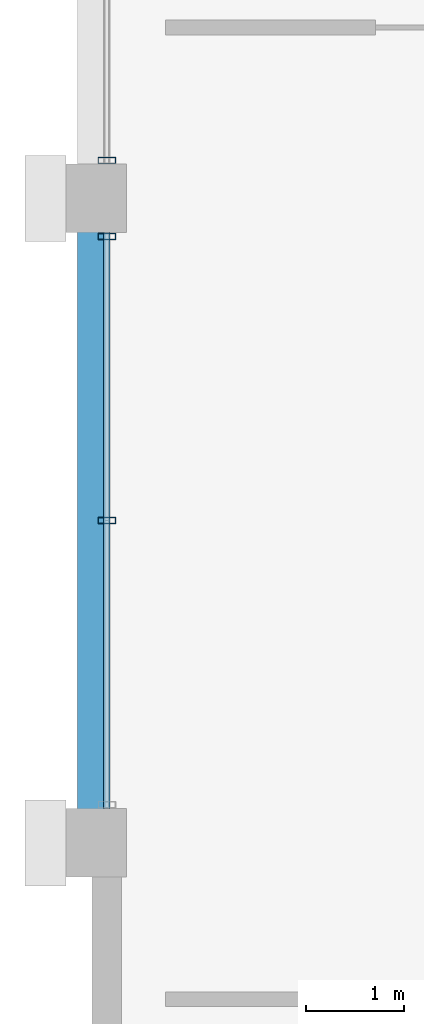
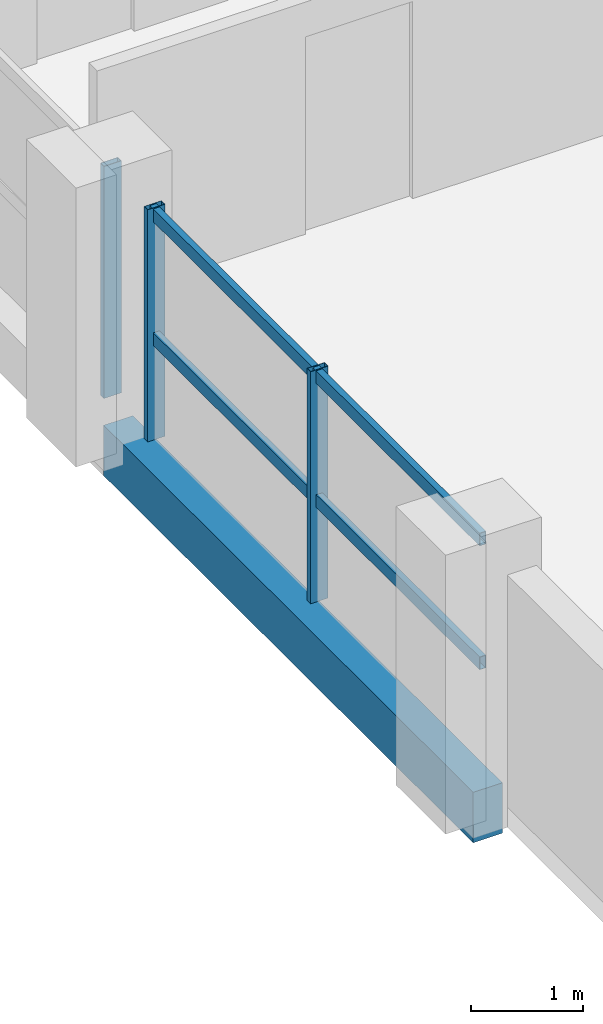
# One storey, part 4 of 24: 5 members, 1 beam, 2 elements without a shape of their own.
"""IFC4 building model written with IfcOpenShell, lengths in metres."""

import ifcopenshell
import ifcopenshell.guid

model = None  # the IFC model being written
_history = None  # IfcOwnerHistory: only IFC2X3 demands one
_inside = {}  # id of a spatial element -> (the spatial element, [elements in it])
_under = {}  # id of a project, library or spatial element -> (it, [spatial elements below it])
_declared = {}  # id of a project -> (the project, [libraries it declares])
_typed = {}  # id of a type object -> (the type object, [elements of that type])
_made_of = {}  # id of a material, layer set ... -> (it, [elements and type objects made of it])


def new_model(schema):
    """Start an empty IFC model of exactly this schema.

    Asked for "IFC4X3", IfcOpenShell would pick the latest addendum, in which some entities
    have other attributes; the version numbers below select the first issue.
    IFC2X3 requires an IfcOwnerHistory on every rooted entity: one is made here for all.
    """
    global model, _history
    if schema == "IFC4X3":
        model = ifcopenshell.file(schema_version=(4, 3, 0, 0))
    else:
        model = ifcopenshell.file(schema=schema)
    _inside.clear()
    _under.clear()
    _declared.clear()
    _typed.clear()
    _made_of.clear()
    _history = None
    if model.schema == "IFC2X3":
        org = make("IfcOrganization", Name="unknown")
        user = make(
            "IfcPersonAndOrganization",
            ThePerson=make("IfcPerson", FamilyName="unknown"),
            TheOrganization=org,
        )
        app = make(
            "IfcApplication",
            ApplicationDeveloper=org,
            Version="unknown",
            ApplicationFullName="unknown",
            ApplicationIdentifier="unknown",
        )
        _history = make(
            "IfcOwnerHistory",
            OwningUser=user,
            OwningApplication=app,
            ChangeAction="ADDED",
            CreationDate=0,
        )
    return model


def make(cls, **values):
    """One entity of the class cls with the attributes given. An attribute that is None is left unset."""
    return model.create_entity(
        cls, **{name: value for name, value in values.items() if value is not None}
    )


def rooted(cls, **values):
    """An entity with a GlobalId (a new one), such as an element, a storey or a relation."""
    return make(cls, GlobalId=ifcopenshell.guid.new(), OwnerHistory=_history, **values)


def si_unit(unit_type, name, prefix=None):
    """IfcSIUnit, for example si_unit("LENGTHUNIT", "METRE", prefix="MILLI")."""
    return make("IfcSIUnit", UnitType=unit_type, Prefix=prefix, Name=name)


def assignment(units):
    """IfcUnitAssignment: the units of a project."""
    return None if units is None else make("IfcUnitAssignment", Units=units)


def point(xyz):
    """IfcCartesianPoint."""
    return None if xyz is None else make("IfcCartesianPoint", Coordinates=xyz)


def direction(xyz):
    """IfcDirection."""
    return None if xyz is None else make("IfcDirection", DirectionRatios=xyz)


def frame(location, z_axis=None, x_axis=None):
    """IfcAxis2Placement3D, a coordinate frame: its origin and axes. An axis left out is left unset."""
    return make(
        "IfcAxis2Placement3D",
        Location=point(location),
        Axis=direction(z_axis),
        RefDirection=direction(x_axis),
    )


def frame_2d(location, x_axis=None):
    """IfcAxis2Placement2D, a coordinate frame in the plane: its origin and x axis."""
    return make(
        "IfcAxis2Placement2D", Location=point(location), RefDirection=direction(x_axis)
    )


def origin():
    """The frame at (0, 0, 0) with its axes left unset."""
    return frame((0.0, 0.0, 0.0))


def origin_2d():
    """The frame at (0, 0) in the plane with its x axis left unset."""
    return frame_2d((0.0, 0.0))


def place(relative_to, where):
    """IfcLocalPlacement: puts the frame where relative to a parent placement (None: the world)."""
    return make(
        "IfcLocalPlacement", PlacementRelTo=relative_to, RelativePlacement=where
    )


def context(
    kind, dimensions, precision=None, world=None, true_north=None, identifier=None
):
    """IfcGeometricRepresentationContext, for example the 3D "Model" context."""
    return make(
        "IfcGeometricRepresentationContext",
        ContextIdentifier=identifier,
        ContextType=kind,
        CoordinateSpaceDimension=dimensions,
        Precision=precision,
        WorldCoordinateSystem=world,
        TrueNorth=true_north,
    )


def subcontext(parent, identifier, kind, view, scale=None):
    """IfcGeometricRepresentationSubContext, for example "Body" below "Model"."""
    return make(
        "IfcGeometricRepresentationSubContext",
        ContextIdentifier=identifier,
        ContextType=kind,
        ParentContext=parent,
        TargetScale=scale,
        TargetView=view,
    )


def project(units=None, contexts=None):
    """IfcProject with its units and contexts."""
    return rooted(
        "IfcProject",
        Name="project",
        RepresentationContexts=contexts,
        UnitsInContext=assignment(units),
    )


def spatial(cls, under=None, at=None, **own):
    """A site, building, storey or space (cls), placed at a placement, below another one or the project."""
    s = rooted(cls, ObjectPlacement=at, **own)
    if under is not None:
        _under.setdefault(under.id(), (under, []))[1].append(s)
    return s


def profile(cls, at=None, kind="AREA", **sizes):
    """A parametric profile (cls). Its sizes go by their IFC names, for example OverallWidth=200.0."""
    return make(cls, ProfileType=kind, Position=at, **sizes)


def rectangle(**sizes):
    """IfcRectangleProfileDef."""
    return profile("IfcRectangleProfileDef", **sizes)


def hollow_rectangle(**sizes):
    """IfcRectangleHollowProfileDef."""
    return profile("IfcRectangleHollowProfileDef", **sizes)


def extrude(swept, where, along, depth):
    """IfcExtrudedAreaSolid: the profile swept, set in the frame where, extruded along a direction by depth."""
    return make(
        "IfcExtrudedAreaSolid",
        SweptArea=swept,
        Position=where,
        ExtrudedDirection=direction(along),
        Depth=depth,
    )


def shape(context_of_items, identifier, shape_type, items):
    """IfcShapeRepresentation: the items that make up one representation, for example the "Body"."""
    return make(
        "IfcShapeRepresentation",
        ContextOfItems=context_of_items,
        RepresentationIdentifier=identifier,
        RepresentationType=shape_type,
        Items=items,
    )


def material(Name=None, Category=None):
    """IfcMaterial."""
    return make("IfcMaterial", Name=Name, Category=Category)


def material_profile(
    of_material, cross_section, Name=None, Category=None, Priority=None
):
    """IfcMaterialProfile: a cross section and its material."""
    return make(
        "IfcMaterialProfile",
        Name=Name,
        Material=of_material,
        Profile=cross_section,
        Priority=Priority,
        Category=Category,
    )


def profile_set(profiles, Name=None, composite=None):
    """IfcMaterialProfileSet."""
    return make(
        "IfcMaterialProfileSet",
        Name=Name,
        MaterialProfiles=profiles,
        CompositeProfile=composite,
    )


def made_of(thing, what):
    """Note that an element or type object is made of a material, layer set ...; save() writes the relation."""
    if what is not None:
        _made_of.setdefault(what.id(), (what, []))[1].append(thing)
    return thing


def type_object(cls, material=None, **own):
    """A type object (cls), such as IfcWallType, which elements share."""
    return made_of(rooted(cls, **own), material)


def element(
    cls,
    number,
    at=None,
    inside=None,
    cuts=None,
    type_object=None,
    material=None,
    context=None,
    identifier="Body",
    shape_type=None,
    held_by="IfcProductDefinitionShape",
    body=None,
    shapes=None,
    **own,
):
    """One element of the class cls, such as IfcWall. Its Tag is "e" and its number.

    at: its placement. inside: the storey or other place that contains it. cuts: it is an
    opening in that element (IfcRelVoidsElement). A single representation is given by context,
    identifier, shape_type and body (its items); several are given by shapes. held_by: the class
    of the entity that holds the representations. save() writes the other relations.
    """
    e = rooted(cls, Tag="e%d" % number, ObjectPlacement=at, **own)
    if body is not None:
        shapes = [shape(context, identifier, shape_type, body)]
    if shapes is not None:
        e.Representation = make(held_by, Representations=shapes)
    if inside is not None:
        _inside.setdefault(inside.id(), (inside, []))[1].append(e)
    if cuts is not None:
        rooted(
            "IfcRelVoidsElement", RelatingBuildingElement=cuts, RelatedOpeningElement=e
        )
    if type_object is not None:
        _typed.setdefault(type_object.id(), (type_object, []))[1].append(e)
    return made_of(e, material)


def aggregate(whole, parts):
    """IfcRelAggregates: a whole, such as a stair, and the parts it consists of."""
    return rooted("IfcRelAggregates", RelatingObject=whole, RelatedObjects=parts)


def save(model, path):
    """Write the relations noted so far, then the file.

    IfcRelAggregates (storeys below a building ...), IfcRelContainedInSpatialStructure (elements
    in a storey), IfcRelDefinesByType, IfcRelAssociatesMaterial and IfcRelDeclares: one each for
    every whole, place, type object, material and project.
    """
    for whole, parts in _under.values():
        aggregate(whole, parts)
    for where, things in _inside.values():
        rooted(
            "IfcRelContainedInSpatialStructure",
            RelatedElements=things,
            RelatingStructure=where,
        )
    for kind, things in _typed.values():
        rooted("IfcRelDefinesByType", RelatedObjects=things, RelatingType=kind)
    for what, things in _made_of.values():
        rooted("IfcRelAssociatesMaterial", RelatedObjects=things, RelatingMaterial=what)
    for by, libraries in _declared.values():
        rooted("IfcRelDeclares", RelatingContext=by, RelatedDefinitions=libraries)
    model.write(path)


model = new_model("IFC4")

# Units and contexts
model_context = context("Model", 3, precision=1e-05, world=origin(), true_north=direction((0.0, 1.0)))
body_context = subcontext(model_context, "Body", "Model", "MODEL_VIEW")
ifc_project = project(units=[si_unit("LENGTHUNIT", "METRE"), si_unit("AREAUNIT", "SQUARE_METRE"), si_unit("VOLUMEUNIT", "CUBIC_METRE"), si_unit("PLANEANGLEUNIT", "RADIAN"), si_unit("MASSUNIT", "GRAM", prefix="KILO")], contexts=[model_context])

# Site, building, storey
site_placement = place(None, origin())
site = spatial("IfcSite", under=ifc_project, at=site_placement, CompositionType="ELEMENT")
building_placement = place(site_placement, origin())
building = spatial("IfcBuilding", under=site, at=building_placement, Name="Akrevak Sports Hall", CompositionType="ELEMENT")
storey_placement = place(building_placement, frame((0.0, 0.0, 56.800048828125)))
storey = spatial("IfcBuildingStorey", under=building, at=storey_placement, Name="L14", CompositionType="ELEMENT", Elevation=56.800048828125)

# Curtain wall, member
ifc_material_1 = material(Name="Anodized Bronze Aluminium & Low-E Glass", Category="aluminium")
curtain_wall_type = type_object("IfcCurtainWallType", Name="ARC-CW-TWR-64x30", PredefinedType="NOTDEFINED", material=ifc_material_1)
curtain_wall_1_placement = place(storey_placement, origin())
curtain_wall_1 = element("IfcCurtainWall", 1, at=curtain_wall_1_placement, inside=storey, type_object=curtain_wall_type, Name="Curtain Wall CW-L14-W28", PredefinedType="NOTDEFINED")
ifc_material_2 = material(Name="Anodized Bronze Aluminium", Category="aluminium")
ifc_material_profile_1 = material_profile(ifc_material_2, hollow_rectangle(XDim=0.06494140625, YDim=0.179931640625, WallThickness=0.00390625, at=origin_2d()), Name="CWM 65x180", Category="aluminium")
ifc_profile_set_1 = profile_set([ifc_material_profile_1], Name="Anodized Bronze Aluminium")
member_type_1 = type_object("IfcMemberType", Name="ARC-CWM-65x140", PredefinedType="MULLION", material=ifc_profile_set_1)
member_1_placement = place(storey_placement, frame((52.64990234375, 48.989990234375, 0.0), z_axis=(0.0, 0.0, 1.0), x_axis=(0.0, -1.0, 0.0)))
member_1 = element("IfcMember", 2, at=member_1_placement, type_object=member_type_1, Name="Curtain Wall Mullion CW-L14-W28-M3", PredefinedType="MULLION", context=body_context, shape_type="SweptSolid", body=[
    extrude(hollow_rectangle(XDim=0.06494140625, YDim=0.179931640625, WallThickness=0.00390625, at=origin_2d()), origin(), (0.0, 0.0, 1.0), 2.530029296875),
])
aggregate(curtain_wall_1, [member_1])

# Curtain wall, members
curtain_wall_2_placement = place(storey_placement, origin())
curtain_wall_2 = element("IfcCurtainWall", 3, at=curtain_wall_2_placement, inside=storey, type_object=curtain_wall_type, Name="Curtain Wall CW-L14-W29", PredefinedType="NOTDEFINED")
member_2_placement = place(storey_placement, frame((52.64990234375, 48.2099609375, 0.0), z_axis=(0.0, 0.0, 1.0), x_axis=(0.0, -1.0, 0.0)))
member_2 = element("IfcMember", 4, at=member_2_placement, type_object=member_type_1, Name="Curtain Wall Mullion CW-L14-W29-M1", PredefinedType="MULLION", context=body_context, shape_type="SweptSolid", body=[
    extrude(hollow_rectangle(XDim=0.06494140625, YDim=0.179931640625, WallThickness=0.00390625, at=origin_2d()), origin(), (0.0, 0.0, 1.0), 2.530029296875),
])
member_3_placement = place(storey_placement, frame((52.64990234375, 45.300048828125, 0.0), z_axis=(0.0, 0.0, 1.0), x_axis=(0.0, -1.0, 0.0)))
member_3 = element("IfcMember", 5, at=member_3_placement, type_object=member_type_1, Name="Curtain Wall Mullion CW-L14-W29-M2", PredefinedType="MULLION", context=body_context, shape_type="SweptSolid", body=[
    extrude(hollow_rectangle(XDim=0.06494140625, YDim=0.179931640625, WallThickness=0.00390625, at=origin_2d()), origin(), (0.0, 0.0, 1.0), 2.530029296875),
])
ifc_material_profile_2 = material_profile(ifc_material_2, hollow_rectangle(XDim=0.06494140625, YDim=0.139892578125, WallThickness=0.00390625, at=origin_2d()), Name="CWT 65x140", Category="aluminium")
ifc_profile_set_2 = profile_set([ifc_material_profile_2], Name="Anodized Bronze Aluminium")
member_type_2 = type_object("IfcMemberType", Name="ARC-CWT-65x110", PredefinedType="USERDEFINED", material=ifc_profile_set_2)
member_4_placement = place(storey_placement, frame((52.64990234375, 48.25, 1.099853515625), z_axis=(0.0, -1.0, 0.0), x_axis=(1.0, 0.0, 0.0)))
member_4 = element("IfcMember", 6, at=member_4_placement, type_object=member_type_2, Name="Curtain Wall Transom CW-L14-W29-T1", ObjectType="TRANSOM", PredefinedType="USERDEFINED", context=body_context, shape_type="SweptSolid", body=[
    extrude(hollow_rectangle(XDim=0.06494140625, YDim=0.139892578125, WallThickness=0.00390625, at=origin_2d()), origin(), (0.0, 0.0, 1.0), 5.89990234375),
])
member_5_placement = place(storey_placement, frame((52.64990234375, 48.25, 2.449951171875), z_axis=(0.0, -1.0, 0.0), x_axis=(1.0, 0.0, 0.0)))
member_5 = element("IfcMember", 7, at=member_5_placement, type_object=member_type_2, Name="Curtain Wall Transom CW-L14-W29-T2", ObjectType="TRANSOM", PredefinedType="USERDEFINED", context=body_context, shape_type="SweptSolid", body=[
    extrude(hollow_rectangle(XDim=0.06494140625, YDim=0.139892578125, WallThickness=0.00390625, at=origin_2d()), origin(), (0.0, 0.0, 1.0), 5.89990234375),
])
aggregate(curtain_wall_2, [member_2, member_3, member_4, member_5])

# Beam
ifc_material_3 = material(Name="Concrete C40/50", Category="concrete")
ifc_material_profile_3 = material_profile(ifc_material_3, rectangle(XDim=0.300048828125, YDim=0.550048828125, at=origin_2d()), Name="BM 300x550", Category="concrete")
ifc_profile_set_3 = profile_set([ifc_material_profile_3], Name="Concrete C40/50")
beam_type = type_object("IfcBeamType", Name="STR-BM-RC300x550", PredefinedType="BEAM", material=ifc_profile_set_3)
beam_placement = place(storey_placement, frame((52.5, 42.0, -0.275146484375), z_axis=(0.0, 1.0, 0.0), x_axis=(-1.0, 0.0, 0.0)))
element("IfcBeam", 8, at=beam_placement, inside=storey, type_object=beam_type, Name="Girder 8/G-H (L14)", PredefinedType="BEAM", context=body_context, shape_type="SweptSolid", body=[
    extrude(rectangle(XDim=0.300048828125, YDim=0.550048828125, at=origin_2d()), origin(), (0.0, 0.0, 1.0), 6.60009765625),
])

save(model, "model.ifc")
